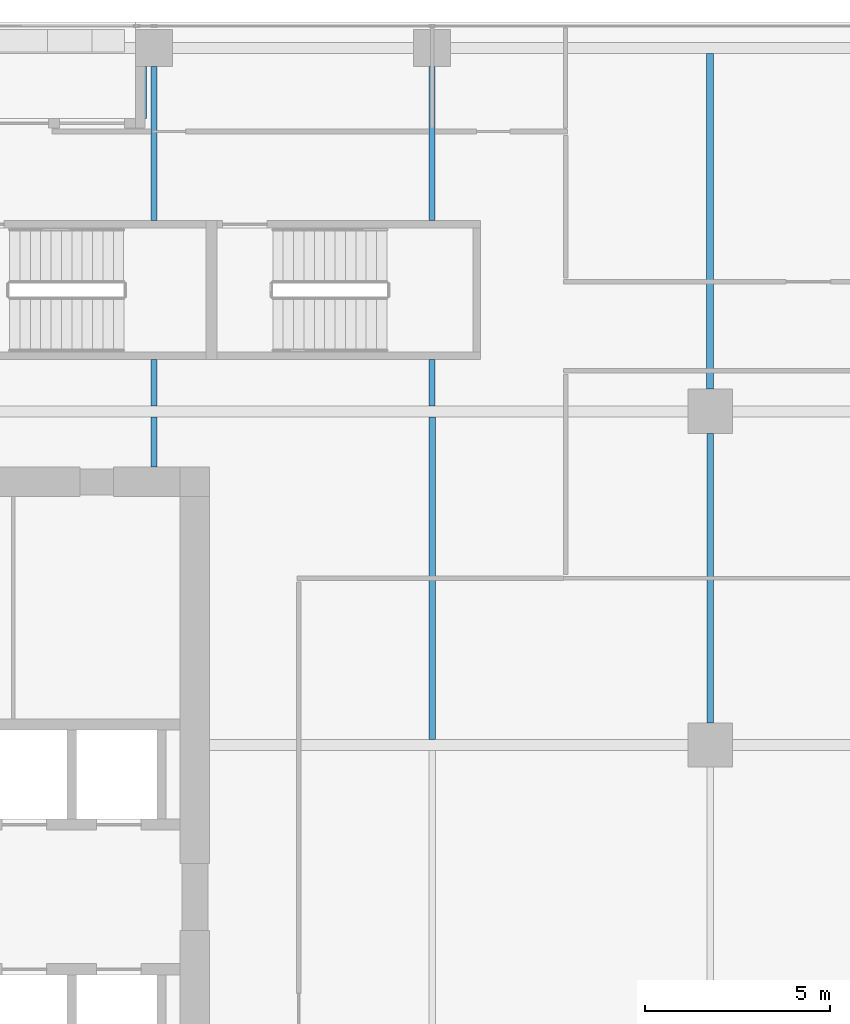
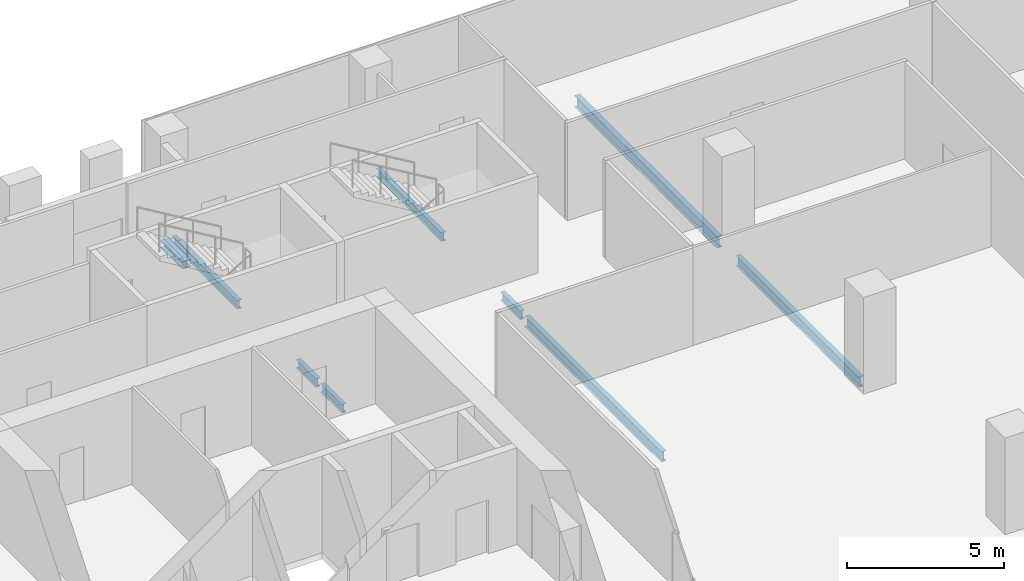
# One storey, part 20 of 40: 9 beams.
"""IFC4 building model written with IfcOpenShell, lengths in metres."""

from ifc_helpers import new_model, si_unit, direction, frame, origin, origin_2d, place, context, subcontext, project, spatial, i_section, extrude, source, transform, mapped, material, material_profile, profile_set, type_object, element, save


model = new_model("IFC4")

# Units and contexts
model_context = context("Model", 3, precision=1e-05, world=origin(), true_north=direction((0.0, 1.0)))
body_context = subcontext(model_context, "Body", "Model", "MODEL_VIEW")
ifc_project = project(units=[si_unit("LENGTHUNIT", "METRE"), si_unit("AREAUNIT", "SQUARE_METRE"), si_unit("VOLUMEUNIT", "CUBIC_METRE"), si_unit("PLANEANGLEUNIT", "RADIAN"), si_unit("MASSUNIT", "GRAM", prefix="KILO")], contexts=[model_context])

# Site, building, storey
site_placement = place(None, origin())
site = spatial("IfcSite", under=ifc_project, at=site_placement, CompositionType="ELEMENT")
building_placement = place(site_placement, origin())
building = spatial("IfcBuilding", under=site, at=building_placement, Name="Khomas Fold Tower", CompositionType="ELEMENT")
storey_placement = place(building_placement, frame((0.0, 0.0, 204.699951171875)))
storey = spatial("IfcBuildingStorey", under=building, at=storey_placement, Name="L45", CompositionType="ELEMENT", Elevation=204.699951171875)

# Beams
ifc_material_1 = material(Name="Steel S355", Category="steel")
ifc_material_profile_1 = material_profile(ifc_material_1, i_section(OverallWidth=0.179931640625, OverallDepth=0.39990234375, WebThickness=0.008544921875, FlangeThickness=0.013427734375, at=origin_2d()), Name="IPE 400")
ifc_profile_set_1 = profile_set([ifc_material_profile_1], Name="Steel S355")
beam_type_1 = type_object("IfcBeamType", Name="IPE 400 beam JB3", PredefinedType="BEAM", material=ifc_profile_set_1)
shared_shape_1 = source(origin(), body_context, "Body", "SweptSolid", [
    extrude(i_section(OverallWidth=0.179931640625, OverallDepth=0.39990234375, WebThickness=0.008544921875, FlangeThickness=0.013427734375, at=origin_2d()), origin(), (0.0, 0.0, 1.0), 8.7001953125),
])
beam_1_placement = place(storey_placement, frame((27.0, 31.64990234375, -0.449951171875), z_axis=(0.0, 1.0, 0.0), x_axis=(-1.0, 0.0, 0.0)))
element("IfcBeam", 1, at=beam_1_placement, inside=storey, type_object=beam_type_1, Name="JB3", PredefinedType="BEAM", context=body_context, shape_type="MappedRepresentation", body=[
    mapped(shared_shape_1, transform((0.0, 0.0, 0.0))),
])
ifc_material_2 = material(Name="Steel S355", Category="steel")
ifc_material_profile_2 = material_profile(ifc_material_2, i_section(OverallWidth=0.159912109375, OverallDepth=0.330078125, WebThickness=0.007568359375, FlangeThickness=0.011474609375, at=origin_2d()), Name="IPE 330")
ifc_profile_set_2 = profile_set([ifc_material_profile_2], Name="Steel S355")
beam_type_2 = type_object("IfcBeamType", Name="IPE 330 beam JB1", PredefinedType="BEAM", material=ifc_profile_set_2)
shared_shape_2 = source(origin(), body_context, "Body", "SweptSolid", [
    extrude(i_section(OverallWidth=0.159912109375, OverallDepth=0.330078125, WebThickness=0.007568359375, FlangeThickness=0.011474609375, at=origin_2d()), origin(), (0.0, 0.0, 1.0), 1.25),
])
for number, where, z_axis, x_axis, name in (
    (2, (19.5, 40.64990234375, -0.4150390625), (0.0, 1.0, 0.0), (-1.0, 0.0, 0.0), "JB1"),
    (3, (27.0, 40.64990234375, -0.4150390625), (0.0, 1.0, 0.0), (-1.0, 0.0, 0.0), "JB1"),
):
    element("IfcBeam", number, at=place(storey_placement, frame(where, z_axis=z_axis, x_axis=x_axis)), inside=storey, type_object=beam_type_2, Name=name, PredefinedType="BEAM", context=body_context, shape_type="MappedRepresentation", body=[
        mapped(shared_shape_2, transform((0.0, 0.0, 0.0))),
    ])
shared_shape_3 = source(origin(), body_context, "Body", "SweptSolid", [
    extrude(i_section(OverallWidth=0.159912109375, OverallDepth=0.330078125, WebThickness=0.007568359375, FlangeThickness=0.011474609375, at=origin_2d()), origin(), (0.0, 0.0, 1.0), 4.150146484375),
])
for number, where, z_axis, x_axis, name in (
    (4, (19.5, 45.64990234375, -0.4150390625), (0.0, 1.0, 0.0), (-1.0, 0.0, 0.0), "JB1"),
    (5, (27.0, 45.64990234375, -0.4150390625), (0.0, 1.0, 0.0), (-1.0, 0.0, 0.0), "JB1"),
):
    element("IfcBeam", number, at=place(storey_placement, frame(where, z_axis=z_axis, x_axis=x_axis)), inside=storey, type_object=beam_type_2, Name=name, PredefinedType="BEAM", context=body_context, shape_type="MappedRepresentation", body=[
        mapped(shared_shape_3, transform((0.0, 0.0, 0.0))),
    ])
shared_shape_4 = source(origin(), body_context, "Body", "SweptSolid", [
    extrude(i_section(OverallWidth=0.179931640625, OverallDepth=0.39990234375, WebThickness=0.008544921875, FlangeThickness=0.013427734375, at=origin_2d()), origin(), (0.0, 0.0, 1.0), 7.7998046875),
])
beam_2_placement = place(storey_placement, frame((34.5, 32.10009765625, -0.449951171875), z_axis=(0.0, 1.0, 0.0), x_axis=(-1.0, 0.0, 0.0)))
element("IfcBeam", 6, at=beam_2_placement, inside=storey, type_object=beam_type_1, Name="JB3", PredefinedType="BEAM", context=body_context, shape_type="MappedRepresentation", body=[
    mapped(shared_shape_4, transform((0.0, 0.0, 0.0))),
])
ifc_material_3 = material(Name="Steel S355", Category="steel")
ifc_material_profile_3 = material_profile(ifc_material_3, i_section(OverallWidth=0.300048828125, OverallDepth=0.300048828125, WebThickness=0.010986328125, FlangeThickness=0.01904296875, at=origin_2d()), Name="HE 300 B")
ifc_profile_set_3 = profile_set([ifc_material_profile_3], Name="Steel S355")
beam_type_3 = type_object("IfcBeamType", Name="HE 300 B beam BB1", PredefinedType="BEAM", material=ifc_profile_set_3)
shared_shape_5 = source(origin(), body_context, "Body", "SweptSolid", [
    extrude(i_section(OverallWidth=0.300048828125, OverallDepth=0.300048828125, WebThickness=0.010986328125, FlangeThickness=0.01904296875, at=origin_2d()), origin(), (0.0, 0.0, 1.0), 1.400146484375),
])
beam_3_placement = place(storey_placement, frame((19.14990234375, 48.39990234375, -0.39990234375), z_axis=(0.0, 1.0, 0.0), x_axis=(-1.0, 0.0, 0.0)))
element("IfcBeam", 7, at=beam_3_placement, inside=storey, type_object=beam_type_3, Name="BB1", PredefinedType="BEAM", context=body_context, shape_type="MappedRepresentation", body=[
    mapped(shared_shape_5, transform((0.0, 0.0, 0.0))),
])
shared_shape_6 = source(origin(), body_context, "Body", "SweptSolid", [
    extrude(i_section(OverallWidth=0.159912109375, OverallDepth=0.330078125, WebThickness=0.007568359375, FlangeThickness=0.011474609375, at=origin_2d()), origin(), (0.0, 0.0, 1.0), 1.35009765625),
])
beam_4_placement = place(storey_placement, frame((19.5, 39.0, -0.4150390625), z_axis=(0.0, 1.0, 0.0), x_axis=(-1.0, 0.0, 0.0)))
element("IfcBeam", 8, at=beam_4_placement, inside=storey, type_object=beam_type_2, Name="JB1", PredefinedType="BEAM", context=body_context, shape_type="MappedRepresentation", body=[
    mapped(shared_shape_6, transform((0.0, 0.0, 0.0))),
])
ifc_material_4 = material(Name="Steel S355", Category="steel")
ifc_material_profile_4 = material_profile(ifc_material_4, i_section(OverallWidth=0.18994140625, OverallDepth=0.449951171875, WebThickness=0.009521484375, FlangeThickness=0.0146484375, at=origin_2d()), Name="IPE 450")
ifc_profile_set_4 = profile_set([ifc_material_profile_4], Name="Steel S355")
beam_type_4 = type_object("IfcBeamType", Name="IPE 450 beam JB4", PredefinedType="BEAM", material=ifc_profile_set_4)
shared_shape_7 = source(origin(), body_context, "Body", "SweptSolid", [
    extrude(i_section(OverallWidth=0.18994140625, OverallDepth=0.449951171875, WebThickness=0.009521484375, FlangeThickness=0.0146484375, at=origin_2d()), origin(), (0.0, 0.0, 1.0), 9.0498046875),
])
beam_5_placement = place(storey_placement, frame((34.5, 41.10009765625, -0.474853515625), z_axis=(0.0, 1.0, 0.0), x_axis=(-1.0, 0.0, 0.0)))
element("IfcBeam", 9, at=beam_5_placement, inside=storey, type_object=beam_type_4, Name="JB4", PredefinedType="BEAM", context=body_context, shape_type="MappedRepresentation", body=[
    mapped(shared_shape_7, transform((0.0, 0.0, 0.0))),
])

save(model, "model.ifc")
